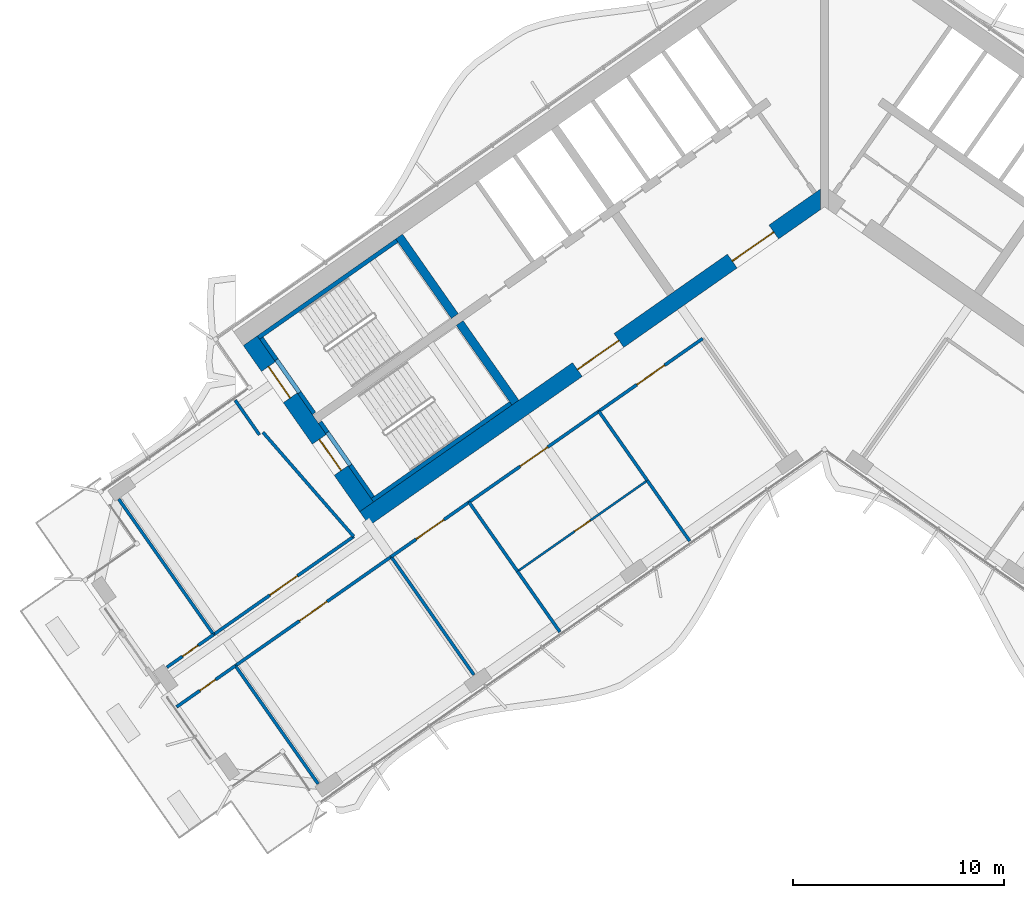
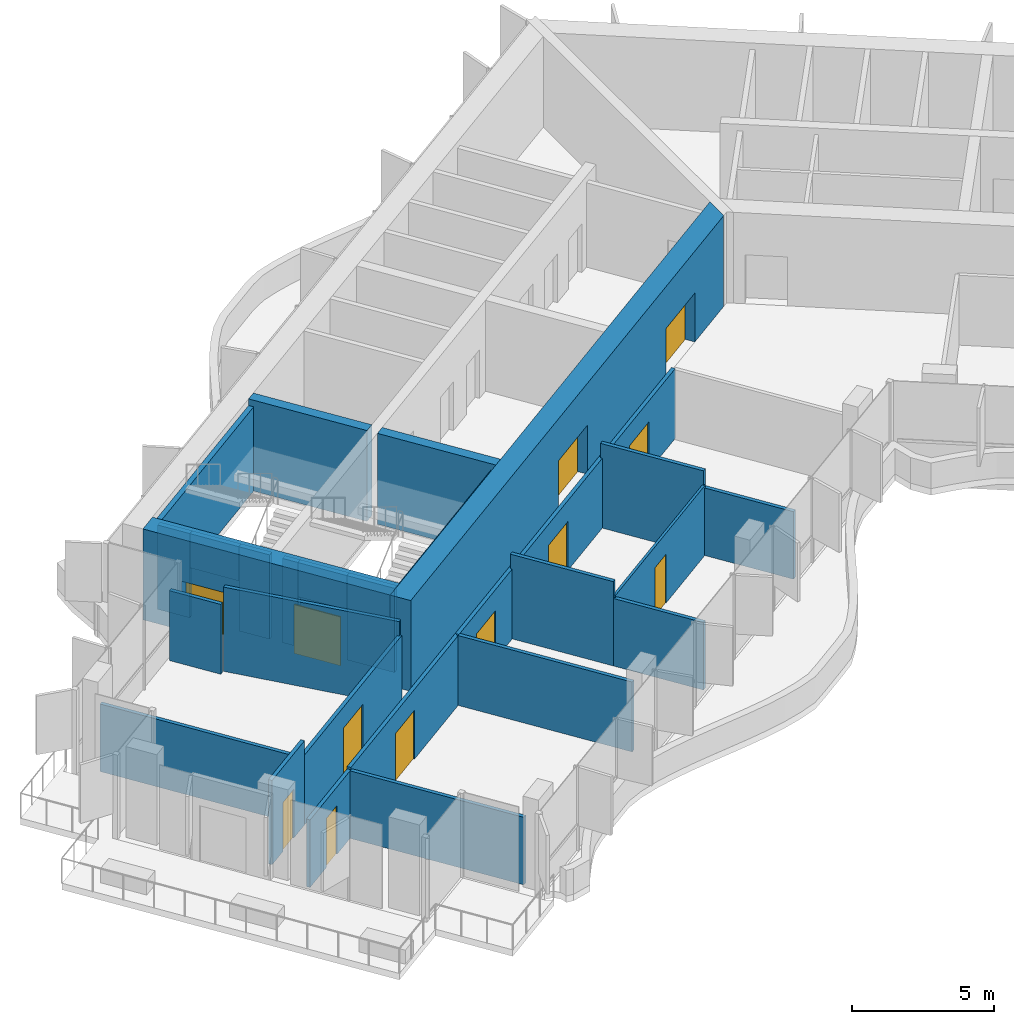
# One storey, part 12 of 22: 29 walls, 12 doors, 12 openings.
"""IFC4 building model written with IfcOpenShell, lengths in metres."""

from ifc_helpers import new_model, si_unit, direction, frame, frame_2d, origin, place, context, subcontext, project, spatial, polyline, rectangle, outline, extrude, material, layer, layer_set, type_object, element, fill, save


model = new_model("IFC4")

# Units and contexts
model_context = context("Model", 3, precision=1e-05, world=origin(), true_north=direction((0.0, 1.0)))
body_context = subcontext(model_context, "Body", "Model", "MODEL_VIEW")
ifc_project = project(units=[si_unit("LENGTHUNIT", "METRE"), si_unit("AREAUNIT", "SQUARE_METRE"), si_unit("VOLUMEUNIT", "CUBIC_METRE"), si_unit("PLANEANGLEUNIT", "RADIAN"), si_unit("MASSUNIT", "GRAM", prefix="KILO")], contexts=[model_context])

# Site, building, storey
site_placement = place(None, origin())
site = spatial("IfcSite", under=ifc_project, at=site_placement, CompositionType="ELEMENT")
building_placement = place(site_placement, origin())
building = spatial("IfcBuilding", under=site, at=building_placement, Name="Tel Ilan Convention Tower", CompositionType="ELEMENT")
storey_placement = place(building_placement, frame((0.0, 0.0, 202.199951171875)))
storey = spatial("IfcBuildingStorey", under=building, at=storey_placement, Name="L47", CompositionType="ELEMENT", Elevation=202.199951171875)

# Walls
ifc_material_1 = material(Name="Concrete C50/60", Category="concrete")
ifc_layer_1 = layer(ifc_material_1, 0.39990234375)
ifc_layer_set_1 = layer_set([ifc_layer_1], Name="Core Shear Wall 400 mm C50/60")
wall_type_1 = type_object("IfcWallType", Name="Core Shear Wall 400 mm C50/60", PredefinedType="SHEAR", material=ifc_layer_set_1)
wall_1_placement = place(storey_placement, frame((-14.6298828125, -10.48828125, 0.0), z_axis=(0.0, 0.0, 1.0), x_axis=(-0.573611936273, 0.819127185829, 0.0)))
element("IfcWall", 1, at=wall_1_placement, inside=storey, type_object=wall_type_1, Name="L47 core wall W-cross2-1", PredefinedType="SHEAR", context=body_context, shape_type="SweptSolid", body=[
    extrude(outline(polyline([(4.60009765625, 0.199951171875), (0.000244140625, 0.2001953125), (0.000244140625, -0.199951171875), (4.60009765625, -0.2001953125), (4.60009765625, 0.199951171875)])), origin(), (0.0, 0.0, 1.0), 3.900146484375),
])
wall_2_placement = place(storey_placement, frame((-17.497802734375, -6.392333984375, 0.0), z_axis=(0.0, 0.0, 1.0), x_axis=(-0.573611936273, 0.819127185829, 0.0)))
element("IfcWall", 2, at=wall_2_placement, inside=storey, type_object=wall_type_1, Name="L47 core wall W-cross2-2", PredefinedType="SHEAR", context=body_context, shape_type="SweptSolid", body=[
    extrude(outline(polyline([(4.599853515625, -0.2001953125), (4.599853515625, 0.199951171875), (0.0, 0.2001953125), (0.0, -0.199951171875), (4.599853515625, -0.2001953125)])), origin(), (0.0, 0.0, 1.0), 3.900146484375),
])

# Wall, openings, doors
ifc_material_2 = material(Name="Concrete C50/60", Category="concrete")
ifc_layer_2 = layer(ifc_material_2, 0.800048828125)
ifc_layer_set_2 = layer_set([ifc_layer_2], Name="Core Shear Wall 800 mm C50/60")
wall_type_2 = type_object("IfcWallType", Name="Core Shear Wall 800 mm C50/60", PredefinedType="SHEAR", material=ifc_layer_set_2)
wall_3_placement = place(storey_placement, frame((0.029296875, -0.7119140625, 0.0), z_axis=(0.0, 0.0, 1.0), x_axis=(-0.819151758019, -0.573576845187, 0.0)))
wall_3 = element("IfcWall", 3, at=wall_3_placement, inside=storey, type_object=wall_type_2, Name="L47 core wall W-front", PredefinedType="SHEAR", context=body_context, shape_type="SweptSolid", body=[
    extrude(outline(polyline([(26.61572265625, 0.39990234375), (0.56005859375, 0.39990234375), (-0.000244140625, -0.39990234375), (26.61572265625, -0.39990234375), (26.61572265625, 0.39990234375)])), origin(), (0.0, 0.0, 1.0), 3.900146484375),
])
opening_1_placement = place(wall_3_placement, frame((2.9658203125, 0.0, 0.0)))
opening_1 = element("IfcOpeningElement", 4, at=opening_1_placement, cuts=wall_3, Name="Opening CD3705", PredefinedType="OPENING", context=body_context, shape_type="SweptSolid", body=[
    extrude(rectangle(XDim=2.39990234375, YDim=2.10009765625, at=frame_2d((1.199951171875, 1.050048828125))), frame((0.0, 0.409912109375, 0.0), z_axis=(0.0, -1.0, 0.0), x_axis=(1.0, 0.0, 0.0)), (0.0, 0.0, 1.0), 0.820068359375),
])
opening_2_placement = place(wall_3_placement, frame((11.915771484375, 0.0, 0.0)))
opening_2 = element("IfcOpeningElement", 5, at=opening_2_placement, cuts=wall_3, Name="Opening CD3706", PredefinedType="OPENING", context=body_context, shape_type="SweptSolid", body=[
    extrude(rectangle(XDim=2.39990234375, YDim=2.10009765625, at=frame_2d((1.199951171875, 1.050048828125))), frame((0.0, 0.409912109375, 0.0), z_axis=(0.0, -1.0, 0.0), x_axis=(1.0, 0.0, 0.0)), (0.0, 0.0, 1.0), 0.820068359375),
])
ifc_material_3 = material(Name="Glazed Aluminium Door Leaf", Category="aluminium")
door_type_1 = type_object("IfcDoorType", Name="Lobby Opening Door 2400 x 2100 FD60S", OperationType="NOTDEFINED", PredefinedType="DOOR", material=ifc_material_3)
door_1_placement = place(opening_1_placement, origin())
door_1 = element("IfcDoor", 6, at=door_1_placement, inside=storey, type_object=door_type_1, Name="Lift Lobby LR1-LR4 opening", OperationType="DOUBLE_DOOR_SINGLE_SWING", OverallHeight=2.10009765625, OverallWidth=2.39990234375, PredefinedType="DOOR", context=body_context, shape_type="SweptSolid", body=[
    extrude(rectangle(XDim=2.39990234375, YDim=2.10009765625, at=frame_2d((1.199951171875, 1.050048828125))), frame((0.0, 0.02490234375, 0.0), z_axis=(0.0, -1.0, 0.0), x_axis=(1.0, 0.0, 0.0)), (0.0, 0.0, 1.0), 0.050048828125),
])
fill(opening_1, door_1)
door_2_placement = place(opening_2_placement, origin())
door_2 = element("IfcDoor", 7, at=door_2_placement, inside=storey, type_object=door_type_1, Name="Lift Lobby LR5-LR6 opening", OperationType="DOUBLE_DOOR_SINGLE_SWING", OverallHeight=2.10009765625, OverallWidth=2.39990234375, PredefinedType="DOOR", context=body_context, shape_type="SweptSolid", body=[
    extrude(rectangle(XDim=2.39990234375, YDim=2.10009765625, at=frame_2d((1.199951171875, 1.050048828125))), frame((0.0, 0.02490234375, 0.0), z_axis=(0.0, -1.0, 0.0), x_axis=(1.0, 0.0, 0.0)), (0.0, 0.0, 1.0), 0.050048828125),
])
fill(opening_2, door_2)

wall_4_placement = place(storey_placement, frame((-21.6748046875, -15.4208984375, 0.0), z_axis=(0.0, 0.0, 1.0), x_axis=(-0.573581815061, 0.819148278049, 0.0)))
wall_4 = element("IfcWall", 8, at=wall_4_placement, inside=storey, type_object=wall_type_2, Name="L47 core wall W-end", PredefinedType="SHEAR", context=body_context, shape_type="SweptSolid", body=[
    extrude(outline(polyline([(0.0, 0.39990234375), (0.0, -0.39990234375), (9.599853515625, -0.400146484375), (9.599853515625, 0.39990234375), (0.0, 0.39990234375)])), origin(), (0.0, 0.0, 1.0), 3.900146484375),
])
opening_3_placement = place(wall_4_placement, frame((6.300048828125, 0.0, 0.0)))
opening_3 = element("IfcOpeningElement", 9, at=opening_3_placement, cuts=wall_4, Name="Opening SD3701", PredefinedType="OPENING", context=body_context, shape_type="SweptSolid", body=[
    extrude(rectangle(XDim=1.800048828125, YDim=2.10009765625, at=frame_2d((0.89990234375, 1.050048828125))), frame((0.0, 0.409912109375, 0.0), z_axis=(0.0, -1.0, 0.0), x_axis=(1.0, 0.0, 0.0)), (0.0, 0.0, 1.0), 0.820068359375),
])
opening_4_placement = place(wall_4_placement, frame((2.10009765625, 0.0, 0.0)))
opening_4 = element("IfcOpeningElement", 10, at=opening_4_placement, cuts=wall_4, Name="Opening SD3702", PredefinedType="OPENING", context=body_context, shape_type="SweptSolid", body=[
    extrude(rectangle(XDim=1.800048828125, YDim=2.10009765625, at=frame_2d((0.89990234375, 1.050048828125))), frame((0.0, 0.409912109375, 0.0), z_axis=(0.0, -1.0, 0.0), x_axis=(1.0, 0.0, 0.0)), (0.0, 0.0, 1.0), 0.820068359375),
])
ifc_material_4 = material(Name="Galvanised Steel Door Leaf", Category="steel")
door_type_2 = type_object("IfcDoorType", Name="Stair Fire Door 1800 x 2100 FD60S", OperationType="NOTDEFINED", PredefinedType="DOOR", material=ifc_material_4)
door_3_placement = place(opening_3_placement, origin())
door_3 = element("IfcDoor", 11, at=door_3_placement, inside=storey, type_object=door_type_2, Name="Stair S1 door", OperationType="DOUBLE_DOOR_SINGLE_SWING", OverallHeight=2.10009765625, OverallWidth=1.800048828125, PredefinedType="DOOR", context=body_context, shape_type="SweptSolid", body=[
    extrude(rectangle(XDim=1.800048828125, YDim=2.10009765625, at=frame_2d((0.89990234375, 1.050048828125))), frame((0.0, 0.02490234375, 0.0), z_axis=(0.0, -1.0, 0.0), x_axis=(1.0, 0.0, 0.0)), (0.0, 0.0, 1.0), 0.050048828125),
])
fill(opening_3, door_3)
door_4_placement = place(opening_4_placement, origin())
door_4 = element("IfcDoor", 12, at=door_4_placement, inside=storey, type_object=door_type_2, Name="Stair S2 door", OperationType="DOUBLE_DOOR_SINGLE_SWING", OverallHeight=2.10009765625, OverallWidth=1.800048828125, PredefinedType="DOOR", context=body_context, shape_type="SweptSolid", body=[
    extrude(rectangle(XDim=1.800048828125, YDim=2.10009765625, at=frame_2d((0.89990234375, 1.050048828125))), frame((0.0, 0.02490234375, 0.0), z_axis=(0.0, -1.0, 0.0), x_axis=(1.0, 0.0, 0.0)), (0.0, 0.0, 1.0), 0.050048828125),
])
fill(opening_4, door_4)

# Wall, opening, door
ifc_material_5 = material(Name="Plasterboard on Steel Studs", Category="steel")
ifc_layer_3 = layer(ifc_material_5, 0.14990234375)
ifc_layer_set_3 = layer_set([ifc_layer_3], Name="Fire-rated Partition 150 EI 60")
wall_type_3 = type_object("IfcWallType", Name="Fire-rated Partition 150 EI 60", PredefinedType="PARTITIONING", material=ifc_layer_set_3)
wall_5_placement = place(storey_placement, frame((-28.91748046875, -21.468994140625, 0.0), z_axis=(0.0, 0.0, 1.0), x_axis=(0.819158271121, 0.57356754341, 0.0)))
wall_5 = element("IfcWall", 13, at=wall_5_placement, inside=storey, type_object=wall_type_3, Name="Partition 008", PredefinedType="PARTITIONING", context=body_context, shape_type="SweptSolid", body=[
    extrude(rectangle(XDim=8.098876953125, YDim=0.14990234375, at=frame_2d((4.04931640625, 0.0))), origin(), (0.0, 0.0, 1.0), 3.0),
])
opening_5_placement = place(wall_5_placement, frame((3.24951171875, 0.0, 0.0)))
opening_5 = element("IfcOpeningElement", 14, at=opening_5_placement, cuts=wall_5, Name="Opening L47-007", PredefinedType="OPENING", context=body_context, shape_type="SweptSolid", body=[
    extrude(rectangle(XDim=1.60009765625, YDim=2.10009765625, at=frame_2d((0.800048828125, 1.050048828125))), frame((0.0, 0.0849609375, 0.0), z_axis=(0.0, -1.0, 0.0), x_axis=(1.0, 0.0, 0.0)), (0.0, 0.0, 1.0), 0.169921875),
])
ifc_material_6 = material(Name="Timber Door Leaf in Steel Frame", Category="steel")
door_type_3 = type_object("IfcDoorType", Name="Tenant Suite Entrance Fire Door 1600x2100", OperationType="NOTDEFINED", PredefinedType="DOOR", material=ifc_material_6)
door_5_placement = place(opening_5_placement, origin())
door_5 = element("IfcDoor", 15, at=door_5_placement, inside=storey, type_object=door_type_3, Name="Door L47-007", OperationType="DOUBLE_DOOR_SINGLE_SWING", OverallHeight=2.10009765625, OverallWidth=1.60009765625, PredefinedType="DOOR", context=body_context, shape_type="SweptSolid", body=[
    extrude(rectangle(XDim=1.60009765625, YDim=2.10009765625, at=frame_2d((0.800048828125, 1.050048828125))), frame((0.0, 0.02490234375, 0.0), z_axis=(0.0, -1.0, 0.0), x_axis=(1.0, 0.0, 0.0)), (0.0, 0.0, 1.0), 0.050048828125),
])
fill(opening_5, door_5)

wall_6_placement = place(storey_placement, frame((-31.127685546875, -23.0166015625, 0.0), z_axis=(0.0, 0.0, 1.0), x_axis=(0.819155505936, 0.573571492575, 0.0)))
wall_6 = element("IfcWall", 16, at=wall_6_placement, inside=storey, type_object=wall_type_3, Name="Partition 009", PredefinedType="PARTITIONING", context=body_context, shape_type="SweptSolid", body=[
    extrude(rectangle(XDim=2.701904296875, YDim=0.14990234375, at=frame_2d((1.35107421875, 0.0))), origin(), (0.0, 0.0, 1.0), 3.6201171875),
])
opening_6_placement = place(wall_6_placement, frame((0.90087890625, 0.0, 0.0)))
opening_6 = element("IfcOpeningElement", 17, at=opening_6_placement, cuts=wall_6, Name="Opening L47-008", PredefinedType="OPENING", context=body_context, shape_type="SweptSolid", body=[
    extrude(rectangle(XDim=0.89990234375, YDim=2.10009765625, at=frame_2d((0.449951171875, 1.050048828125))), frame((0.0, 0.0849609375, 0.0), z_axis=(0.0, -1.0, 0.0), x_axis=(1.0, 0.0, 0.0)), (0.0, 0.0, 1.0), 0.169921875),
])
ifc_material_7 = material(Name="Timber Door Leaf in Steel Frame", Category="steel")
door_type_4 = type_object("IfcDoorType", Name="Room Fire Door 900x2100", OperationType="NOTDEFINED", PredefinedType="DOOR", material=ifc_material_7)
door_6_placement = place(opening_6_placement, origin())
door_6 = element("IfcDoor", 18, at=door_6_placement, inside=storey, type_object=door_type_4, Name="Door L47-008", OperationType="SINGLE_SWING_RIGHT", OverallHeight=2.10009765625, OverallWidth=0.89990234375, PredefinedType="DOOR", context=body_context, shape_type="SweptSolid", body=[
    extrude(rectangle(XDim=0.89990234375, YDim=2.10009765625, at=frame_2d((0.449951171875, 1.050048828125))), frame((0.0, 0.02490234375, 0.0), z_axis=(0.0, -1.0, 0.0), x_axis=(1.0, 0.0, 0.0)), (0.0, 0.0, 1.0), 0.050048828125),
])
fill(opening_6, door_6)

wall_7_placement = place(storey_placement, frame((-5.766357421875, -7.455810546875, 0.0), z_axis=(0.0, 0.0, 1.0), x_axis=(-0.819147828287, -0.573582457378, 0.0)))
wall_7 = element("IfcWall", 19, at=wall_7_placement, inside=storey, type_object=wall_type_3, Name="Partition 010", PredefinedType="PARTITIONING", context=body_context, shape_type="SweptSolid", body=[
    extrude(rectangle(XDim=6.001953125, YDim=0.14990234375, at=frame_2d((3.0009765625, 0.0))), origin(), (0.0, 0.0, 1.0), 3.0),
])
opening_7_placement = place(wall_7_placement, frame((2.200927734375, 0.0, 0.0)))
opening_7 = element("IfcOpeningElement", 20, at=opening_7_placement, cuts=wall_7, Name="Opening L47-001", PredefinedType="OPENING", context=body_context, shape_type="SweptSolid", body=[
    extrude(rectangle(XDim=1.60009765625, YDim=2.10009765625, at=frame_2d((0.800048828125, 1.050048828125))), frame((0.0, 0.0849609375, 0.0), z_axis=(0.0, -1.0, 0.0), x_axis=(1.0, 0.0, 0.0)), (0.0, 0.0, 1.0), 0.169921875),
])
door_7_placement = place(opening_7_placement, origin())
door_7 = element("IfcDoor", 21, at=door_7_placement, inside=storey, type_object=door_type_3, Name="Door L47-001", OperationType="DOUBLE_DOOR_SINGLE_SWING", OverallHeight=2.10009765625, OverallWidth=1.60009765625, PredefinedType="DOOR", context=body_context, shape_type="SweptSolid", body=[
    extrude(rectangle(XDim=1.60009765625, YDim=2.10009765625, at=frame_2d((0.800048828125, 1.050048828125))), frame((0.0, 0.02490234375, 0.0), z_axis=(0.0, -1.0, 0.0), x_axis=(1.0, 0.0, 0.0)), (0.0, 0.0, 1.0), 0.050048828125),
])
fill(opening_7, door_7)

wall_8_placement = place(storey_placement, frame((-10.6796875, -10.89599609375, 0.0), z_axis=(0.0, 0.0, 1.0), x_axis=(-0.819138671238, -0.573595534573, 0.0)))
wall_8 = element("IfcWall", 22, at=wall_8_placement, inside=storey, type_object=wall_type_3, Name="Partition 011", PredefinedType="PARTITIONING", context=body_context, shape_type="SweptSolid", body=[
    extrude(rectangle(XDim=7.50390625, YDim=0.14990234375, at=frame_2d((3.751953125, 0.0))), origin(), (0.0, 0.0, 1.0), 3.0),
])
opening_8_placement = place(wall_8_placement, frame((2.951904296875, 0.0, 0.0)))
opening_8 = element("IfcOpeningElement", 23, at=opening_8_placement, cuts=wall_8, Name="Opening L47-002", PredefinedType="OPENING", context=body_context, shape_type="SweptSolid", body=[
    extrude(rectangle(XDim=1.60009765625, YDim=2.10009765625, at=frame_2d((0.800048828125, 1.050048828125))), frame((0.0, 0.0849609375, 0.0), z_axis=(0.0, -1.0, 0.0), x_axis=(1.0, 0.0, 0.0)), (0.0, 0.0, 1.0), 0.169921875),
])
door_8_placement = place(opening_8_placement, origin())
door_8 = element("IfcDoor", 24, at=door_8_placement, inside=storey, type_object=door_type_3, Name="Door L47-002", OperationType="DOUBLE_DOOR_SINGLE_SWING", OverallHeight=2.10009765625, OverallWidth=1.60009765625, PredefinedType="DOOR", context=body_context, shape_type="SweptSolid", body=[
    extrude(rectangle(XDim=1.60009765625, YDim=2.10009765625, at=frame_2d((0.800048828125, 1.050048828125))), frame((0.0, 0.02490234375, 0.0), z_axis=(0.0, -1.0, 0.0), x_axis=(1.0, 0.0, 0.0)), (0.0, 0.0, 1.0), 0.050048828125),
])
fill(opening_8, door_8)

wall_9_placement = place(storey_placement, frame((-16.8232421875, -15.197998046875, 0.0), z_axis=(0.0, 0.0, 1.0), x_axis=(-0.819165703328, -0.573556928727, 0.0)))
wall_9 = element("IfcWall", 25, at=wall_9_placement, inside=storey, type_object=wall_type_3, Name="Partition 012", PredefinedType="PARTITIONING", context=body_context, shape_type="SweptSolid", body=[
    extrude(rectangle(XDim=4.50390625, YDim=0.14990234375, at=frame_2d((2.251953125, 0.0))), origin(), (0.0, 0.0, 1.0), 3.0),
])
opening_9_placement = place(wall_9_placement, frame((1.451904296875, 0.0, 0.0)))
opening_9 = element("IfcOpeningElement", 26, at=opening_9_placement, cuts=wall_9, Name="Opening L47-004", PredefinedType="OPENING", context=body_context, shape_type="SweptSolid", body=[
    extrude(rectangle(XDim=1.60009765625, YDim=2.10009765625, at=frame_2d((0.800048828125, 1.050048828125))), frame((0.0, 0.0849609375, 0.0), z_axis=(0.0, -1.0, 0.0), x_axis=(1.0, 0.0, 0.0)), (0.0, 0.0, 1.0), 0.169921875),
])
door_9_placement = place(opening_9_placement, origin())
door_9 = element("IfcDoor", 27, at=door_9_placement, inside=storey, type_object=door_type_3, Name="Door L47-004", OperationType="DOUBLE_DOOR_SINGLE_SWING", OverallHeight=2.10009765625, OverallWidth=1.60009765625, PredefinedType="DOOR", context=body_context, shape_type="SweptSolid", body=[
    extrude(rectangle(XDim=1.60009765625, YDim=2.10009765625, at=frame_2d((0.800048828125, 1.050048828125))), frame((0.0, 0.02490234375, 0.0), z_axis=(0.0, -1.0, 0.0), x_axis=(1.0, 0.0, 0.0)), (0.0, 0.0, 1.0), 0.050048828125),
])
fill(opening_9, door_9)

wall_10_placement = place(storey_placement, frame((-20.509521484375, -17.779052734375, 0.0), z_axis=(0.0, 0.0, 1.0), x_axis=(-0.819142740634, -0.573589723117, 0.0)))
wall_10 = element("IfcWall", 28, at=wall_10_placement, inside=storey, type_object=wall_type_3, Name="Partition 013", PredefinedType="PARTITIONING", context=body_context, shape_type="SweptSolid", body=[
    extrude(rectangle(XDim=9.00390625, YDim=0.14990234375, at=frame_2d((4.501953125, 0.0))), origin(), (0.0, 0.0, 1.0), 3.0),
])
opening_10_placement = place(wall_10_placement, frame((3.701904296875, 0.0, 0.0)))
opening_10 = element("IfcOpeningElement", 29, at=opening_10_placement, cuts=wall_10, Name="Opening L47-005", PredefinedType="OPENING", context=body_context, shape_type="SweptSolid", body=[
    extrude(rectangle(XDim=1.60009765625, YDim=2.10009765625, at=frame_2d((0.800048828125, 1.050048828125))), frame((0.0, 0.0849609375, 0.0), z_axis=(0.0, -1.0, 0.0), x_axis=(1.0, 0.0, 0.0)), (0.0, 0.0, 1.0), 0.169921875),
])
door_10_placement = place(opening_10_placement, origin())
door_10 = element("IfcDoor", 30, at=door_10_placement, inside=storey, type_object=door_type_3, Name="Door L47-005", OperationType="DOUBLE_DOOR_SINGLE_SWING", OverallHeight=2.10009765625, OverallWidth=1.60009765625, PredefinedType="DOOR", context=body_context, shape_type="SweptSolid", body=[
    extrude(rectangle(XDim=1.60009765625, YDim=2.10009765625, at=frame_2d((0.800048828125, 1.050048828125))), frame((0.0, 0.02490234375, 0.0), z_axis=(0.0, -1.0, 0.0), x_axis=(1.0, 0.0, 0.0)), (0.0, 0.0, 1.0), 0.050048828125),
])
fill(opening_10, door_10)

wall_11_placement = place(storey_placement, frame((-27.8818359375, -22.941162109375, 0.0), z_axis=(0.0, 0.0, 1.0), x_axis=(-0.819147629048, -0.573582741917, 0.0)))
wall_11 = element("IfcWall", 31, at=wall_11_placement, inside=storey, type_object=wall_type_3, Name="Partition 014", PredefinedType="PARTITIONING", context=body_context, shape_type="SweptSolid", body=[
    extrude(rectangle(XDim=3.402099609375, YDim=0.14990234375, at=frame_2d((1.701171875, 0.0))), origin(), (0.0, 0.0, 1.0), 2.900146484375),
])
opening_11_placement = place(wall_11_placement, frame((1.15087890625, 0.0, 0.0)))
opening_11 = element("IfcOpeningElement", 32, at=opening_11_placement, cuts=wall_11, Name="Opening L47-006", PredefinedType="OPENING", context=body_context, shape_type="SweptSolid", body=[
    extrude(rectangle(XDim=0.89990234375, YDim=2.10009765625, at=frame_2d((0.449951171875, 1.050048828125))), frame((0.0, 0.0849609375, 0.0), z_axis=(0.0, -1.0, 0.0), x_axis=(1.0, 0.0, 0.0)), (0.0, 0.0, 1.0), 0.169921875),
])
door_11_placement = place(opening_11_placement, origin())
door_11 = element("IfcDoor", 33, at=door_11_placement, inside=storey, type_object=door_type_4, Name="Door L47-006", OperationType="SINGLE_SWING_RIGHT", OverallHeight=2.10009765625, OverallWidth=0.89990234375, PredefinedType="DOOR", context=body_context, shape_type="SweptSolid", body=[
    extrude(rectangle(XDim=0.89990234375, YDim=2.10009765625, at=frame_2d((0.449951171875, 1.050048828125))), frame((0.0, 0.02490234375, 0.0), z_axis=(0.0, -1.0, 0.0), x_axis=(1.0, 0.0, 0.0)), (0.0, 0.0, 1.0), 0.050048828125),
])
fill(opening_11, door_11)

# Walls
wall_12_placement = place(storey_placement, frame((-26.74609375, -12.013671875, 0.0), z_axis=(0.0, 0.0, 1.0), x_axis=(-0.573568836472, 0.819157365729, 0.0)))
element("IfcWall", 34, at=wall_12_placement, inside=storey, type_object=wall_type_3, Name="Partition 032", PredefinedType="PARTITIONING", context=body_context, shape_type="SweptSolid", body=[
    extrude(rectangle(XDim=2.000244140625, YDim=0.14990234375, at=frame_2d((1.0, 0.0))), origin(), (0.0, 0.0, 1.0), 3.0),
])
wall_13_placement = place(storey_placement, frame((-22.28369140625, -16.826416015625, 0.0), z_axis=(0.0, 0.0, 1.0), x_axis=(-0.656758142177, 0.754101281449, 0.0)))
element("IfcWall", 35, at=wall_13_placement, inside=storey, type_object=wall_type_3, Name="Partition 033", PredefinedType="PARTITIONING", context=body_context, shape_type="SweptSolid", body=[
    extrude(rectangle(XDim=6.53857421875, YDim=0.14990234375, at=frame_2d((3.269287109375, 0.0))), origin(), (0.0, 0.0, 1.0), 3.6201171875),
])
wall_14_placement = place(storey_placement, frame((-28.916015625, -21.468017578125, 0.0), z_axis=(0.0, 0.0, 1.0), x_axis=(-0.573558601227, 0.819164532288, 0.0)))
element("IfcWall", 36, at=wall_14_placement, inside=storey, type_object=wall_type_3, Name="Partition 034", PredefinedType="PARTITIONING", context=body_context, shape_type="SweptSolid", body=[
    extrude(rectangle(XDim=7.830078125, YDim=0.14990234375, at=frame_2d((3.9150390625, 0.0))), origin(), (0.0, 0.0, 1.0), 2.900146484375),
])
wall_15_placement = place(storey_placement, frame((-6.37939453125, -17.041015625, 0.0), z_axis=(0.0, 0.0, 1.0), x_axis=(-0.573560622794, 0.819163116834, 0.0)))
element("IfcWall", 37, at=wall_15_placement, inside=storey, type_object=wall_type_3, Name="Partition 035", PredefinedType="PARTITIONING", context=body_context, shape_type="SweptSolid", body=[
    extrude(rectangle(XDim=3.5009765625, YDim=0.14990234375, at=frame_2d((1.75048828125, 0.0))), origin(), (0.0, 0.0, 1.0), 2.900146484375),
])
wall_16_placement = place(storey_placement, frame((-8.3857421875, -14.175537109375, 0.0), z_axis=(0.0, 0.0, 1.0), x_axis=(-0.573601535214, 0.819134469303, 0.0)))
element("IfcWall", 38, at=wall_16_placement, inside=storey, type_object=wall_type_3, Name="Partition 036", PredefinedType="PARTITIONING", context=body_context, shape_type="SweptSolid", body=[
    extrude(rectangle(XDim=4.002197265625, YDim=0.14990234375, at=frame_2d((2.0009765625, 0.0))), origin(), (0.0, 0.0, 1.0), 3.6201171875),
])
wall_17_placement = place(storey_placement, frame((-12.523193359375, -21.3427734375, 0.0), z_axis=(0.0, 0.0, 1.0), x_axis=(-0.573555999232, 0.819166354134, 0.0)))
element("IfcWall", 39, at=wall_17_placement, inside=storey, type_object=wall_type_3, Name="Partition 038", PredefinedType="PARTITIONING", context=body_context, shape_type="SweptSolid", body=[
    extrude(rectangle(XDim=3.4990234375, YDim=0.14990234375, at=frame_2d((1.74951171875, 0.0))), origin(), (0.0, 0.0, 1.0), 2.900146484375),
])
wall_18_placement = place(storey_placement, frame((-14.530517578125, -18.4755859375, 0.0), z_axis=(0.0, 0.0, 1.0), x_axis=(-0.573626190743, 0.819117203636, 0.0)))
element("IfcWall", 40, at=wall_18_placement, inside=storey, type_object=wall_type_3, Name="Partition 039", PredefinedType="PARTITIONING", context=body_context, shape_type="SweptSolid", body=[
    extrude(rectangle(XDim=3.999755859375, YDim=0.14990234375, at=frame_2d((2.0, 0.0))), origin(), (0.0, 0.0, 1.0), 3.6201171875),
])
wall_19_placement = place(storey_placement, frame((-16.593505859375, -23.375, 0.0), z_axis=(0.0, 0.0, 1.0), x_axis=(-0.573577493031, 0.819151304393, 0.0)))
element("IfcWall", 41, at=wall_19_placement, inside=storey, type_object=wall_type_3, Name="Partition 040", PredefinedType="PARTITIONING", context=body_context, shape_type="SweptSolid", body=[
    extrude(rectangle(XDim=6.829833984375, YDim=0.14990234375, at=frame_2d((3.4150390625, 0.0))), origin(), (0.0, 0.0, 1.0), 3.0),
])
wall_20_placement = place(storey_placement, frame((-23.9658203125, -28.537109375, 0.0), z_axis=(0.0, 0.0, 1.0), x_axis=(-0.573601478058, 0.819134509327, 0.0)))
element("IfcWall", 42, at=wall_20_placement, inside=storey, type_object=wall_type_3, Name="Partition 041", PredefinedType="PARTITIONING", context=body_context, shape_type="SweptSolid", body=[
    extrude(rectangle(XDim=6.830078125, YDim=0.14990234375, at=frame_2d((3.4150390625, 0.0))), origin(), (0.0, 0.0, 1.0), 2.900146484375),
])

# Wall, opening, door
ifc_material_8 = material(Name="Plasterboard on Steel Studs", Category="steel")
ifc_layer_4 = layer(ifc_material_8, 0.10009765625)
ifc_layer_set_4 = layer_set([ifc_layer_4], Name="Plasterboard Partition 100")
wall_type_4 = type_object("IfcWallType", Name="Plasterboard Partition 100", PredefinedType="PARTITIONING", material=ifc_layer_set_4)
wall_21_placement = place(storey_placement, frame((-8.386474609375, -14.1748046875, 0.0), z_axis=(0.0, 0.0, 1.0), x_axis=(-0.81915238829, -0.573575945067, 0.0)))
wall_21 = element("IfcWall", 43, at=wall_21_placement, inside=storey, type_object=wall_type_4, Name="Partition 037", PredefinedType="PARTITIONING", context=body_context, shape_type="SweptSolid", body=[
    extrude(rectangle(XDim=7.5, YDim=0.10009765625, at=frame_2d((3.75, 0.0))), origin(), (0.0, 0.0, 1.0), 3.0),
])
opening_12_placement = place(wall_21_placement, frame((3.300048828125, 0.0, 0.0)))
opening_12 = element("IfcOpeningElement", 44, at=opening_12_placement, cuts=wall_21, Name="Opening L47-003", PredefinedType="OPENING", context=body_context, shape_type="SweptSolid", body=[
    extrude(rectangle(XDim=0.89990234375, YDim=2.10009765625, at=frame_2d((0.449951171875, 1.050048828125))), frame((0.0, 0.06005859375, 0.0), z_axis=(0.0, -1.0, 0.0), x_axis=(1.0, 0.0, 0.0)), (0.0, 0.0, 1.0), 0.1201171875),
])
ifc_material_9 = material(Name="Timber Door Leaf in Steel Frame", Category="steel")
door_type_5 = type_object("IfcDoorType", Name="Room Timber Door 900x2100", OperationType="NOTDEFINED", PredefinedType="DOOR", material=ifc_material_9)
door_12_placement = place(opening_12_placement, origin())
door_12 = element("IfcDoor", 45, at=door_12_placement, inside=storey, type_object=door_type_5, Name="Door L47-003", OperationType="SINGLE_SWING_LEFT", OverallHeight=2.10009765625, OverallWidth=0.89990234375, PredefinedType="DOOR", context=body_context, shape_type="SweptSolid", body=[
    extrude(rectangle(XDim=0.89990234375, YDim=2.10009765625, at=frame_2d((0.449951171875, 1.050048828125))), frame((0.0, 0.02490234375, 0.0), z_axis=(0.0, -1.0, 0.0), x_axis=(1.0, 0.0, 0.0)), (0.0, 0.0, 1.0), 0.050048828125),
])
fill(opening_12, door_12)

# Walls
ifc_material_10 = material(Name="Concrete C30/37", Category="concrete")
ifc_layer_5 = layer(ifc_material_10, 0.199951171875)
ifc_layer_set_5 = layer_set([ifc_layer_5], Name="Stair and Shaft Lining Wall 200 mm C30/37")
wall_type_5 = type_object("IfcWallType", Name="Stair and Shaft Lining Wall 200 mm C30/37", PredefinedType="SOLIDWALL", material=ifc_layer_set_5)
wall_22_placement = place(storey_placement, frame((-20.242919921875, -2.821044921875, 0.0), z_axis=(0.0, 0.0, 1.0), x_axis=(-0.819141584393, -0.57359137434, 0.0)))
element("IfcWall", 46, at=wall_22_placement, inside=storey, type_object=wall_type_5, Name="L47 core wall lining-S1-t1", PredefinedType="SOLIDWALL", context=body_context, shape_type="SweptSolid", body=[
    extrude(rectangle(XDim=7.999755859375, YDim=0.199951171875, at=frame_2d((4.0, 0.0))), origin(), (0.0, 0.0, 1.0), 3.6201171875),
])
wall_23_placement = place(storey_placement, frame((-24.16162109375, -10.99755859375, 0.0), z_axis=(0.0, 0.0, 1.0), x_axis=(-0.573612502218, 0.819126789514, 0.0)))
element("IfcWall", 47, at=wall_23_placement, inside=storey, type_object=wall_type_5, Name="L47 core wall lining-S1-u1-0", PredefinedType="SOLIDWALL", context=body_context, shape_type="SweptSolid", body=[
    extrude(rectangle(XDim=1.2001953125, YDim=0.199951171875, at=frame_2d((0.60009765625, 0.0))), origin(), (0.0, 0.0, 1.0), 3.6201171875),
])
wall_24_placement = place(storey_placement, frame((-25.939697265625, -8.4580078125, 0.0), z_axis=(0.0, 0.0, 1.0), x_axis=(-0.573619628835, 0.819121798889, 0.0)))
element("IfcWall", 48, at=wall_24_placement, inside=storey, type_object=wall_type_5, Name="L47 core wall lining-S1-u1-1", PredefinedType="SOLIDWALL", context=body_context, shape_type="SweptSolid", body=[
    extrude(rectangle(XDim=1.25, YDim=0.199951171875, at=frame_2d((0.625, 0.0))), origin(), (0.0, 0.0, 1.0), 3.6201171875),
])
wall_25_placement = place(storey_placement, frame((-24.85009765625, -10.014404296875, 2.150146484375), z_axis=(0.0, 0.0, 1.0), x_axis=(-0.573505465124, 0.819201734296, 0.0)))
element("IfcWall", 49, at=wall_25_placement, inside=storey, type_object=wall_type_5, Name="L47 core wall lining-S1-u1-lintel", PredefinedType="SOLIDWALL", context=body_context, shape_type="SweptSolid", body=[
    extrude(rectangle(XDim=1.89990234375, YDim=0.199951171875, at=frame_2d((0.949951171875, 0.0))), origin(), (0.0, 0.0, 1.0), 1.469970703125),
])
wall_26_placement = place(storey_placement, frame((-14.851318359375, -10.52099609375, 0.0), z_axis=(0.0, 0.0, 1.0), x_axis=(-0.819141584393, -0.57359137434, 0.0)))
element("IfcWall", 50, at=wall_26_placement, inside=storey, type_object=wall_type_5, Name="L47 core wall lining-S2-t0", PredefinedType="SOLIDWALL", context=body_context, shape_type="SweptSolid", body=[
    extrude(rectangle(XDim=7.999755859375, YDim=0.199951171875, at=frame_2d((4.0, 0.0))), origin(), (0.0, 0.0, 1.0), 3.6201171875),
])
wall_27_placement = place(storey_placement, frame((-21.3798828125, -14.97021484375, 0.0), z_axis=(0.0, 0.0, 1.0), x_axis=(-0.573559770908, 0.819163713305, 0.0)))
element("IfcWall", 51, at=wall_27_placement, inside=storey, type_object=wall_type_5, Name="L47 core wall lining-S2-u1-0", PredefinedType="SOLIDWALL", context=body_context, shape_type="SweptSolid", body=[
    extrude(rectangle(XDim=1.849853515625, YDim=0.199951171875, at=frame_2d((0.9248046875, 0.0))), origin(), (0.0, 0.0, 1.0), 3.6201171875),
])
wall_28_placement = place(storey_placement, frame((-23.53076171875, -11.8984375, 0.0), z_axis=(0.0, 0.0, 1.0), x_axis=(-0.573708088123, 0.819059844958, 0.0)))
element("IfcWall", 52, at=wall_28_placement, inside=storey, type_object=wall_type_5, Name="L47 core wall lining-S2-u1-1", PredefinedType="SOLIDWALL", context=body_context, shape_type="SweptSolid", body=[
    extrude(rectangle(XDim=0.60009765625, YDim=0.199951171875, at=frame_2d((0.300048828125, 0.0))), origin(), (0.0, 0.0, 1.0), 3.6201171875),
])
wall_29_placement = place(storey_placement, frame((-22.44091796875, -13.454833984375, 2.150146484375), z_axis=(0.0, 0.0, 1.0), x_axis=(-0.573591692345, 0.819141361715, 0.0)))
element("IfcWall", 53, at=wall_29_placement, inside=storey, type_object=wall_type_5, Name="L47 core wall lining-S2-u1-lintel", PredefinedType="SOLIDWALL", context=body_context, shape_type="SweptSolid", body=[
    extrude(rectangle(XDim=1.900146484375, YDim=0.199951171875, at=frame_2d((0.9501953125, 0.0))), origin(), (0.0, 0.0, 1.0), 1.469970703125),
])

save(model, "model.ifc")
